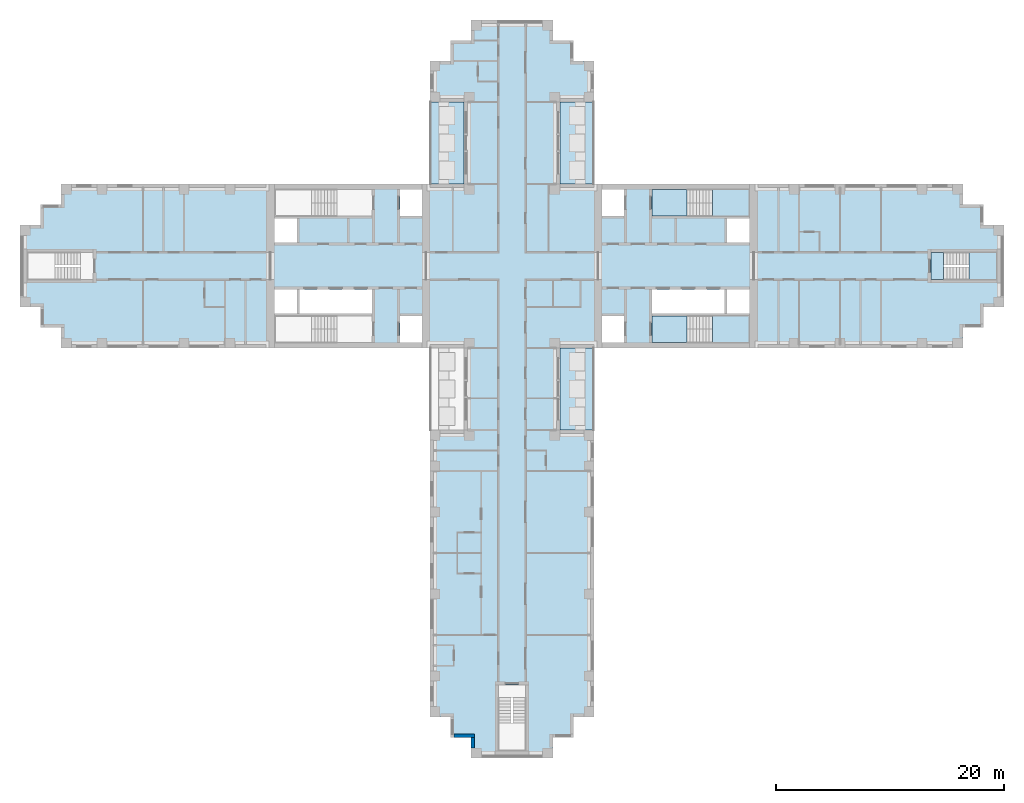
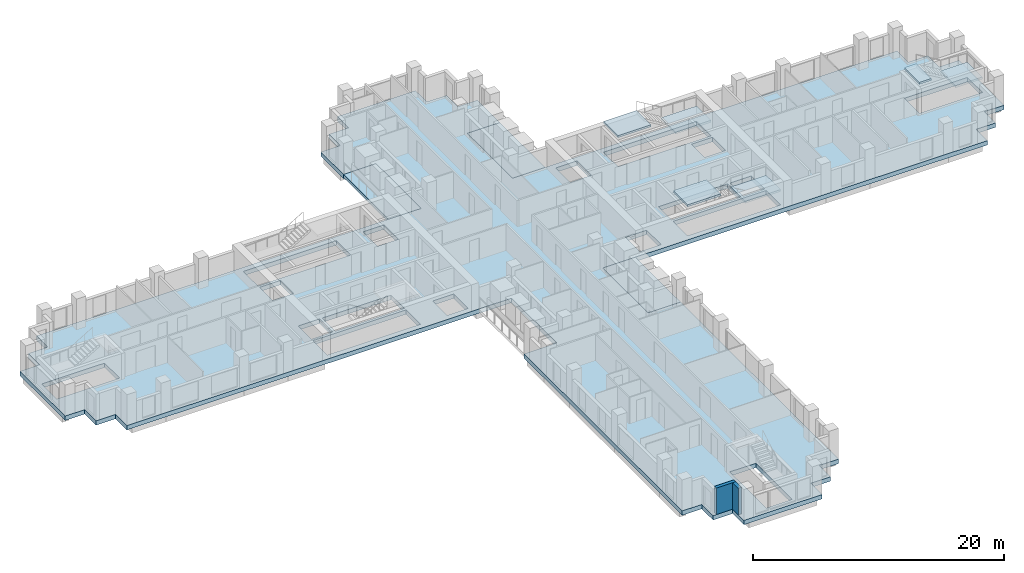
# One storey, part 2 of 13: 10 slabs, 2 walls, 3 elements without a shape of their own.
"""IFC4 building model written with IfcOpenShell, lengths in metres."""

from ifc_helpers import new_model, si_unit, direction, frame, frame_2d, origin, place, context, subcontext, project, spatial, polyline, rectangle, outline, extrude, material, layer, layer_set, type_object, element, aggregate, save


model = new_model("IFC4")

# Units and contexts
model_context = context("Model", 3, precision=1e-05, world=origin(), true_north=direction((0.0, 1.0)))
body_context = subcontext(model_context, "Body", "Model", "MODEL_VIEW")
ifc_project = project(units=[si_unit("LENGTHUNIT", "METRE"), si_unit("AREAUNIT", "SQUARE_METRE"), si_unit("VOLUMEUNIT", "CUBIC_METRE"), si_unit("PLANEANGLEUNIT", "RADIAN"), si_unit("MASSUNIT", "GRAM", prefix="KILO")], contexts=[model_context])

# Site, building, storey
site_placement = place(None, origin())
site = spatial("IfcSite", under=ifc_project, at=site_placement, CompositionType="ELEMENT")
building_placement = place(site_placement, origin())
building = spatial("IfcBuilding", under=site, at=building_placement, Name="Fustian Cross Tower", CompositionType="ELEMENT")
storey_placement = place(building_placement, frame((0.0, 0.0, 75.89990234375)))
storey = spatial("IfcBuildingStorey", under=building, at=storey_placement, Name="L23", CompositionType="ELEMENT", Elevation=75.89990234375)

# Slabs
ifc_material_1 = material(Name="Concrete C40/50", Category="concrete")
ifc_layer_1 = layer(ifc_material_1, 0.300048828125)
ifc_layer_set_1 = layer_set([ifc_layer_1], Name="Concrete C40/50")
slab_type_1 = type_object("IfcSlabType", Name="BS1 BALCONY SLAB 300", PredefinedType="FLOOR", material=ifc_layer_set_1)
slab_1_placement = place(storey_placement, frame((0.0, 0.0, -0.2998046875)))
element("IfcSlab", 1, at=slab_1_placement, inside=storey, type_object=slab_type_1, Name="Balcony slab", PredefinedType="FLOOR", context=body_context, shape_type="SweptSolid", body=[
    extrude(outline(polyline([(4.199951171875, 7.199951171875), (7.199951171875, 7.199951171875), (7.199951171875, 14.39990234375), (4.199951171875, 14.39990234375), (4.199951171875, 7.199951171875)])), origin(), (0.0, 0.0, 1.0), 0.2998046875),
])
slab_2_placement = place(storey_placement, frame((0.0, 0.0, -0.2998046875)))
element("IfcSlab", 2, at=slab_2_placement, inside=storey, type_object=slab_type_1, Name="Balcony slab", PredefinedType="FLOOR", context=body_context, shape_type="SweptSolid", body=[
    extrude(outline(polyline([(-7.199951171875, 7.199951171875), (-4.199951171875, 7.199951171875), (-4.199951171875, 14.39990234375), (-7.199951171875, 14.39990234375), (-7.199951171875, 7.199951171875)])), origin(), (0.0, 0.0, 1.0), 0.2998046875),
])
slab_3_placement = place(storey_placement, frame((0.0, 0.0, -0.2998046875)))
element("IfcSlab", 3, at=slab_3_placement, inside=storey, type_object=slab_type_1, Name="Balcony slab", PredefinedType="FLOOR", context=body_context, shape_type="SweptSolid", body=[
    extrude(outline(polyline([(4.199951171875, -14.39990234375), (7.199951171875, -14.39990234375), (7.199951171875, -7.199951171875), (4.199951171875, -7.199951171875), (4.199951171875, -14.39990234375)])), origin(), (0.0, 0.0, 1.0), 0.2998046875),
])
ifc_material_2 = material(Name="Concrete C40/50", Category="concrete")
ifc_layer_2 = layer(ifc_material_2, 0.425048828125)
ifc_layer_set_2 = layer_set([ifc_layer_2], Name="Concrete C40/50")
slab_type_2 = type_object("IfcSlabType", Name="FLAT SLAB 425", PredefinedType="FLOOR", material=ifc_layer_set_2)
slab_4_placement = place(storey_placement, frame((0.0, 0.0, -0.4248046875)))
element("IfcSlab", 4, at=slab_4_placement, inside=storey, type_object=slab_type_2, Name="FLOOR SLAB L23-1", PredefinedType="FLOOR", context=body_context, shape_type="SweptSolid", body=[
    extrude(outline(polyline([(-4.199951171875, -7.199951171875), (-39.60009765625, -7.199951171875), (-39.60009765625, -5.39990234375), (-41.39990234375, -5.39990234375), (-41.39990234375, -3.60009765625), (-43.199951171875, -3.60009765625), (-43.199951171875, 3.60009765625), (-41.39990234375, 3.60009765625), (-41.39990234375, 5.39990234375), (-39.60009765625, 5.39990234375), (-39.60009765625, 7.199951171875), (-4.199951171875, 7.199951171875), (-4.199951171875, 14.39990234375), (-7.199951171875, 14.39990234375), (-7.199951171875, 18.0), (-5.39990234375, 18.0), (-5.39990234375, 19.800048828125), (-3.60009765625, 19.800048828125), (-3.60009765625, 21.60009765625), (3.60009765625, 21.60009765625), (3.60009765625, 19.800048828125), (5.39990234375, 19.800048828125), (5.39990234375, 18.0), (7.199951171875, 18.0), (7.199951171875, 14.39990234375), (4.199951171875, 14.39990234375), (4.199951171875, 7.199951171875), (39.60009765625, 7.199951171875), (39.60009765625, 5.39990234375), (41.39990234375, 5.39990234375), (41.39990234375, 3.60009765625), (43.199951171875, 3.60009765625), (43.199951171875, -3.60009765625), (41.39990234375, -3.60009765625), (41.39990234375, -5.39990234375), (39.60009765625, -5.39990234375), (39.60009765625, -7.199951171875), (4.199951171875, -7.199951171875), (4.199951171875, -14.39990234375), (7.199951171875, -14.39990234375), (7.199951171875, -39.60009765625), (5.39990234375, -39.60009765625), (5.39990234375, -41.39990234375), (3.60009765625, -41.39990234375), (3.60009765625, -43.199951171875), (-3.60009765625, -43.199951171875), (-3.60009765625, -41.39990234375), (-5.39990234375, -41.39990234375), (-5.39990234375, -39.60009765625), (-7.199951171875, -39.60009765625), (-7.199951171875, -14.39990234375), (-4.199951171875, -14.39990234375), (-4.199951171875, -7.199951171875)]), holes=[polyline([(20.85009765625, -2.050048828125), (18.89990234375, -2.050048828125), (18.89990234375, -4.14990234375), (20.85009765625, -4.14990234375), (20.85009765625, -2.050048828125)]), polyline([(20.85009765625, 2.050048828125), (20.85009765625, 4.14990234375), (18.89990234375, 4.14990234375), (18.89990234375, 2.050048828125), (20.85009765625, 2.050048828125)]), polyline([(7.89990234375, 4.39990234375), (9.85009765625, 4.39990234375), (9.85009765625, 6.699951171875), (7.89990234375, 6.699951171875), (7.89990234375, 4.39990234375)]), polyline([(7.89990234375, -4.39990234375), (7.89990234375, -6.699951171875), (9.85009765625, -6.699951171875), (9.85009765625, -4.39990234375), (7.89990234375, -4.39990234375)]), polyline([(-18.89990234375, -2.050048828125), (-20.85009765625, -2.050048828125), (-20.85009765625, -4.14990234375), (-18.89990234375, -4.14990234375), (-18.89990234375, -2.050048828125)]), polyline([(-18.89990234375, 2.050048828125), (-18.89990234375, 4.14990234375), (-20.85009765625, 4.14990234375), (-20.85009765625, 2.050048828125), (-18.89990234375, 2.050048828125)]), polyline([(-9.85009765625, 4.39990234375), (-7.89990234375, 4.39990234375), (-7.89990234375, 6.699951171875), (-9.85009765625, 6.699951171875), (-9.85009765625, 4.39990234375)]), polyline([(-9.85009765625, -4.39990234375), (-9.85009765625, -6.699951171875), (-7.89990234375, -6.699951171875), (-7.89990234375, -4.39990234375), (-9.85009765625, -4.39990234375)]), polyline([(18.64990234375, -2.050048828125), (12.300048828125, -2.050048828125), (12.300048828125, -4.14990234375), (18.64990234375, -4.14990234375), (18.64990234375, -2.050048828125)]), polyline([(-12.300048828125, -4.14990234375), (-12.300048828125, -2.050048828125), (-18.64990234375, -2.050048828125), (-18.64990234375, -4.14990234375), (-12.300048828125, -4.14990234375)]), polyline([(12.300048828125, 4.39990234375), (20.85009765625, 4.39990234375), (20.85009765625, 6.699951171875), (12.300048828125, 6.699951171875), (12.300048828125, 4.39990234375)]), polyline([(12.300048828125, -4.39990234375), (12.300048828125, -6.699951171875), (20.85009765625, -6.699951171875), (20.85009765625, -4.39990234375), (12.300048828125, -4.39990234375)]), polyline([(-12.300048828125, 6.699951171875), (-20.85009765625, 6.699951171875), (-20.85009765625, 4.39990234375), (-12.300048828125, 4.39990234375), (-12.300048828125, 6.699951171875)]), polyline([(-12.300048828125, -6.699951171875), (-12.300048828125, -4.39990234375), (-20.85009765625, -4.39990234375), (-20.85009765625, -6.699951171875), (-12.300048828125, -6.699951171875)]), polyline([(-1.199951171875, -42.60009765625), (1.199951171875, -42.60009765625), (1.199951171875, -36.800048828125), (-1.199951171875, -36.800048828125), (-1.199951171875, -42.60009765625)]), polyline([(36.800048828125, 1.199951171875), (36.800048828125, -1.199951171875), (42.60009765625, -1.199951171875), (42.60009765625, 1.199951171875), (36.800048828125, 1.199951171875)]), polyline([(-36.800048828125, 1.199951171875), (-42.60009765625, 1.199951171875), (-42.60009765625, -1.199951171875), (-36.800048828125, -1.199951171875), (-36.800048828125, 1.199951171875)])]), origin(), (0.0, 0.0, 1.0), 0.4248046875),
])

# Stair, slabs
ifc_material_3 = material(Name="Concrete C50/60", Category="concrete")
stair_type_1 = type_object("IfcStairType", Name="STAIR 1150 HALF TURN", PredefinedType="HALF_TURN_STAIR", material=ifc_material_3)
stair_1_placement = place(storey_placement, origin())
stair_1 = element("IfcStair", 5, at=stair_1_placement, inside=storey, type_object=stair_type_1, Name="Stair ST1", PredefinedType="HALF_TURN_STAIR")
ifc_material_4 = material(Name="Concrete C50/60", Category="concrete")
ifc_layer_3 = layer(ifc_material_4, 0.199951171875)
ifc_layer_set_3 = layer_set([ifc_layer_3], Name="Concrete C50/60")
slab_type_3 = type_object("IfcSlabType", Name="STAIR LANDING", PredefinedType="LANDING", material=ifc_layer_set_3)
slab_5_placement = place(storey_placement, frame((0.0, 0.0, 1.300048828125)))
slab_5 = element("IfcSlab", 6, at=slab_5_placement, type_object=slab_type_3, Name="ST1 landing 1", PredefinedType="LANDING", context=body_context, shape_type="SweptSolid", body=[
    extrude(outline(polyline([(17.590087890625, 4.39990234375), (20.85009765625, 4.39990234375), (20.85009765625, 6.699951171875), (17.590087890625, 6.699951171875), (17.590087890625, 4.39990234375)])), origin(), (0.0, 0.0, 1.0), 0.199951171875),
])
slab_6_placement = place(storey_placement, frame((0.0, 0.0, 2.800048828125)))
slab_6 = element("IfcSlab", 7, at=slab_6_placement, type_object=slab_type_3, Name="ST1 landing 2", PredefinedType="LANDING", context=body_context, shape_type="SweptSolid", body=[
    extrude(outline(polyline([(12.300048828125, 4.39990234375), (15.35009765625, 4.39990234375), (15.35009765625, 6.699951171875), (12.300048828125, 6.699951171875), (12.300048828125, 4.39990234375)])), origin(), (0.0, 0.0, 1.0), 0.199951171875),
])
aggregate(stair_1, [slab_5, slab_6])

stair_2_placement = place(storey_placement, origin())
stair_2 = element("IfcStair", 8, at=stair_2_placement, inside=storey, type_object=stair_type_1, Name="Stair ST2", PredefinedType="HALF_TURN_STAIR")
slab_7_placement = place(storey_placement, frame((0.0, 0.0, 1.300048828125)))
slab_7 = element("IfcSlab", 9, at=slab_7_placement, type_object=slab_type_3, Name="ST2 landing 1", PredefinedType="LANDING", context=body_context, shape_type="SweptSolid", body=[
    extrude(outline(polyline([(17.590087890625, -4.39990234375), (20.85009765625, -4.39990234375), (20.85009765625, -6.699951171875), (17.590087890625, -6.699951171875), (17.590087890625, -4.39990234375)])), origin(), (0.0, 0.0, 1.0), 0.199951171875),
])
slab_8_placement = place(storey_placement, frame((0.0, 0.0, 2.800048828125)))
slab_8 = element("IfcSlab", 10, at=slab_8_placement, type_object=slab_type_3, Name="ST2 landing 2", PredefinedType="LANDING", context=body_context, shape_type="SweptSolid", body=[
    extrude(outline(polyline([(12.300048828125, -4.39990234375), (15.35009765625, -4.39990234375), (15.35009765625, -6.699951171875), (12.300048828125, -6.699951171875), (12.300048828125, -4.39990234375)])), origin(), (0.0, 0.0, 1.0), 0.199951171875),
])
aggregate(stair_2, [slab_7, slab_8])

ifc_material_5 = material(Name="Concrete C50/60", Category="concrete")
stair_type_2 = type_object("IfcStairType", Name="STAIR 1100 HALF TURN", PredefinedType="HALF_TURN_STAIR", material=ifc_material_5)
stair_3_placement = place(storey_placement, origin())
stair_3 = element("IfcStair", 11, at=stair_3_placement, inside=storey, type_object=stair_type_2, Name="Stair ST8", PredefinedType="HALF_TURN_STAIR")
slab_9_placement = place(storey_placement, frame((0.0, 0.0, 1.300048828125)))
slab_9 = element("IfcSlab", 12, at=slab_9_placement, type_object=slab_type_3, Name="ST8 landing 1", PredefinedType="LANDING", context=body_context, shape_type="SweptSolid", body=[
    extrude(outline(polyline([(40.139892578125, -1.199951171875), (42.60009765625, -1.199951171875), (42.60009765625, 1.199951171875), (40.139892578125, 1.199951171875), (40.139892578125, -1.199951171875)])), origin(), (0.0, 0.0, 1.0), 0.199951171875),
])
slab_10_placement = place(storey_placement, frame((0.0, 0.0, 2.800048828125)))
slab_10 = element("IfcSlab", 13, at=slab_10_placement, type_object=slab_type_3, Name="ST8 landing 2", PredefinedType="LANDING", context=body_context, shape_type="SweptSolid", body=[
    extrude(outline(polyline([(36.800048828125, -1.199951171875), (37.89990234375, -1.199951171875), (37.89990234375, 1.199951171875), (36.800048828125, 1.199951171875), (36.800048828125, -1.199951171875)])), origin(), (0.0, 0.0, 1.0), 0.199951171875),
])
aggregate(stair_3, [slab_9, slab_10])

# Walls
ifc_material_6 = material(Name="Dark aluminium cladding on insulated backing wall", Category="aluminium")
ifc_layer_4 = layer(ifc_material_6, 0.300048828125)
ifc_layer_set_4 = layer_set([ifc_layer_4], Name="Dark aluminium cladding on insulated backing wall")
wall_type = type_object("IfcWallType", Name="XW1 EXTERNAL WALL 300", PredefinedType="SOLIDWALL", material=ifc_layer_set_4)
wall_1_placement = place(storey_placement, frame((-5.10009765625, -41.25, 0.0), z_axis=(0.0, 0.0, 1.0), x_axis=(1.0, 0.0, 0.0)))
element("IfcWall", 14, at=wall_1_placement, inside=storey, type_object=wall_type, Name="External wall", PredefinedType="SOLIDWALL", context=body_context, shape_type="SweptSolid", body=[
    extrude(rectangle(XDim=1.800048828125, YDim=0.300048828125, at=frame_2d((0.89990234375, 0.0))), origin(), (0.0, 0.0, 1.0), 2.5751953125),
])
wall_2_placement = place(storey_placement, frame((-3.449951171875, -41.39990234375, 0.0), z_axis=(0.0, 0.0, 1.0), x_axis=(0.0, -1.0, 0.0)))
element("IfcWall", 15, at=wall_2_placement, inside=storey, type_object=wall_type, Name="External wall", PredefinedType="SOLIDWALL", context=body_context, shape_type="SweptSolid", body=[
    extrude(rectangle(XDim=0.900146484375, YDim=0.300048828125, at=frame_2d((0.4501953125, 0.0))), origin(), (0.0, 0.0, 1.0), 2.5751953125),
])

save(model, "model.ifc")
